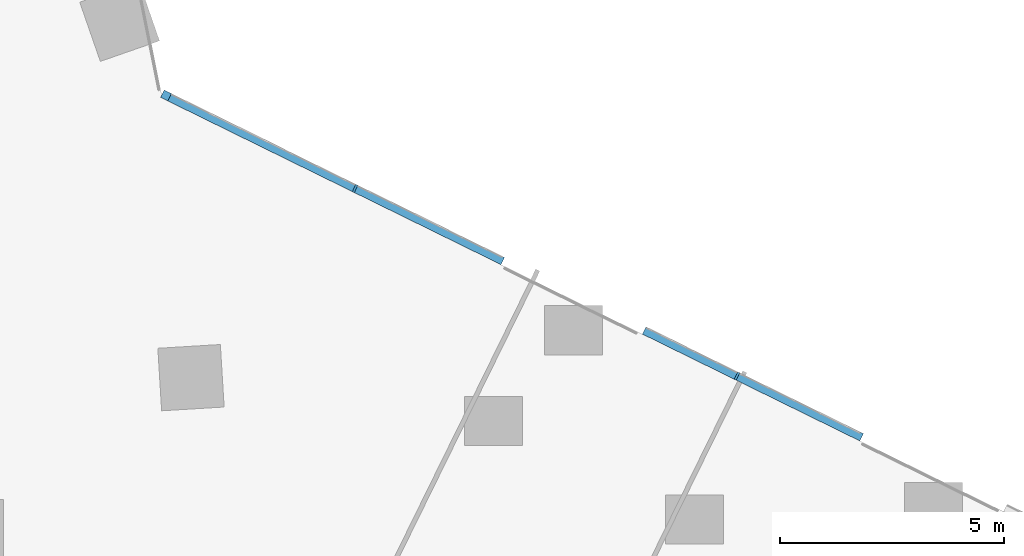
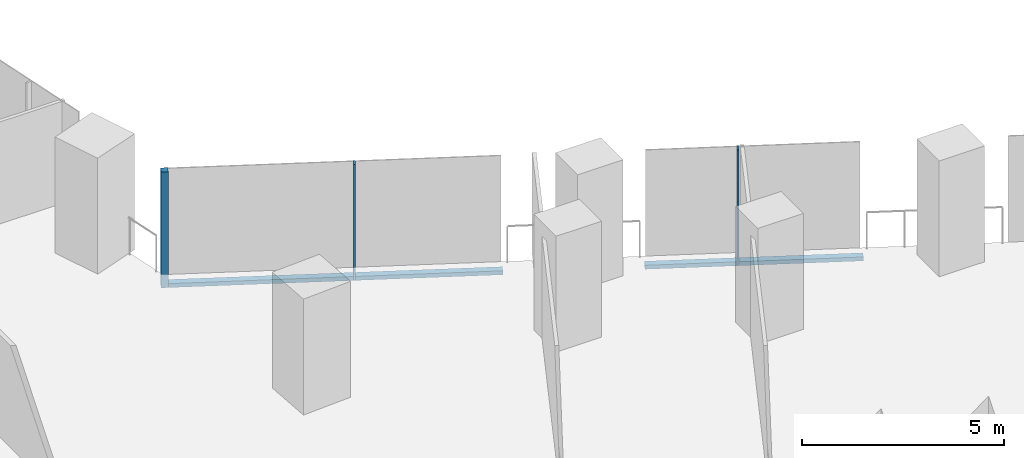
# One storey, part 10 of 32: 5 members, 1 element without a shape of its own.
"""IFC4 building model written with IfcOpenShell, lengths in metres."""

import ifcopenshell
import ifcopenshell.guid

model = None  # the IFC model being written
_history = None  # IfcOwnerHistory: only IFC2X3 demands one
_inside = {}  # id of a spatial element -> (the spatial element, [elements in it])
_under = {}  # id of a project, library or spatial element -> (it, [spatial elements below it])
_declared = {}  # id of a project -> (the project, [libraries it declares])
_typed = {}  # id of a type object -> (the type object, [elements of that type])
_made_of = {}  # id of a material, layer set ... -> (it, [elements and type objects made of it])


def new_model(schema):
    """Start an empty IFC model of exactly this schema.

    Asked for "IFC4X3", IfcOpenShell would pick the latest addendum, in which some entities
    have other attributes; the version numbers below select the first issue.
    IFC2X3 requires an IfcOwnerHistory on every rooted entity: one is made here for all.
    """
    global model, _history
    if schema == "IFC4X3":
        model = ifcopenshell.file(schema_version=(4, 3, 0, 0))
    else:
        model = ifcopenshell.file(schema=schema)
    _inside.clear()
    _under.clear()
    _declared.clear()
    _typed.clear()
    _made_of.clear()
    _history = None
    if model.schema == "IFC2X3":
        org = make("IfcOrganization", Name="unknown")
        user = make(
            "IfcPersonAndOrganization",
            ThePerson=make("IfcPerson", FamilyName="unknown"),
            TheOrganization=org,
        )
        app = make(
            "IfcApplication",
            ApplicationDeveloper=org,
            Version="unknown",
            ApplicationFullName="unknown",
            ApplicationIdentifier="unknown",
        )
        _history = make(
            "IfcOwnerHistory",
            OwningUser=user,
            OwningApplication=app,
            ChangeAction="ADDED",
            CreationDate=0,
        )
    return model


def make(cls, **values):
    """One entity of the class cls with the attributes given. An attribute that is None is left unset."""
    return model.create_entity(
        cls, **{name: value for name, value in values.items() if value is not None}
    )


def rooted(cls, **values):
    """An entity with a GlobalId (a new one), such as an element, a storey or a relation."""
    return make(cls, GlobalId=ifcopenshell.guid.new(), OwnerHistory=_history, **values)


def si_unit(unit_type, name, prefix=None):
    """IfcSIUnit, for example si_unit("LENGTHUNIT", "METRE", prefix="MILLI")."""
    return make("IfcSIUnit", UnitType=unit_type, Prefix=prefix, Name=name)


def assignment(units):
    """IfcUnitAssignment: the units of a project."""
    return None if units is None else make("IfcUnitAssignment", Units=units)


def point(xyz):
    """IfcCartesianPoint."""
    return None if xyz is None else make("IfcCartesianPoint", Coordinates=xyz)


def direction(xyz):
    """IfcDirection."""
    return None if xyz is None else make("IfcDirection", DirectionRatios=xyz)


def frame(location, z_axis=None, x_axis=None):
    """IfcAxis2Placement3D, a coordinate frame: its origin and axes. An axis left out is left unset."""
    return make(
        "IfcAxis2Placement3D",
        Location=point(location),
        Axis=direction(z_axis),
        RefDirection=direction(x_axis),
    )


def frame_2d(location, x_axis=None):
    """IfcAxis2Placement2D, a coordinate frame in the plane: its origin and x axis."""
    return make(
        "IfcAxis2Placement2D", Location=point(location), RefDirection=direction(x_axis)
    )


def origin():
    """The frame at (0, 0, 0) with its axes left unset."""
    return frame((0.0, 0.0, 0.0))


def origin_2d():
    """The frame at (0, 0) in the plane with its x axis left unset."""
    return frame_2d((0.0, 0.0))


def place(relative_to, where):
    """IfcLocalPlacement: puts the frame where relative to a parent placement (None: the world)."""
    return make(
        "IfcLocalPlacement", PlacementRelTo=relative_to, RelativePlacement=where
    )


def context(
    kind, dimensions, precision=None, world=None, true_north=None, identifier=None
):
    """IfcGeometricRepresentationContext, for example the 3D "Model" context."""
    return make(
        "IfcGeometricRepresentationContext",
        ContextIdentifier=identifier,
        ContextType=kind,
        CoordinateSpaceDimension=dimensions,
        Precision=precision,
        WorldCoordinateSystem=world,
        TrueNorth=true_north,
    )


def subcontext(parent, identifier, kind, view, scale=None):
    """IfcGeometricRepresentationSubContext, for example "Body" below "Model"."""
    return make(
        "IfcGeometricRepresentationSubContext",
        ContextIdentifier=identifier,
        ContextType=kind,
        ParentContext=parent,
        TargetScale=scale,
        TargetView=view,
    )


def project(units=None, contexts=None):
    """IfcProject with its units and contexts."""
    return rooted(
        "IfcProject",
        Name="project",
        RepresentationContexts=contexts,
        UnitsInContext=assignment(units),
    )


def spatial(cls, under=None, at=None, **own):
    """A site, building, storey or space (cls), placed at a placement, below another one or the project."""
    s = rooted(cls, ObjectPlacement=at, **own)
    if under is not None:
        _under.setdefault(under.id(), (under, []))[1].append(s)
    return s


def profile(cls, at=None, kind="AREA", **sizes):
    """A parametric profile (cls). Its sizes go by their IFC names, for example OverallWidth=200.0."""
    return make(cls, ProfileType=kind, Position=at, **sizes)


def rectangle(**sizes):
    """IfcRectangleProfileDef."""
    return profile("IfcRectangleProfileDef", **sizes)


def extrude(swept, where, along, depth):
    """IfcExtrudedAreaSolid: the profile swept, set in the frame where, extruded along a direction by depth."""
    return make(
        "IfcExtrudedAreaSolid",
        SweptArea=swept,
        Position=where,
        ExtrudedDirection=direction(along),
        Depth=depth,
    )


def shape(context_of_items, identifier, shape_type, items):
    """IfcShapeRepresentation: the items that make up one representation, for example the "Body"."""
    return make(
        "IfcShapeRepresentation",
        ContextOfItems=context_of_items,
        RepresentationIdentifier=identifier,
        RepresentationType=shape_type,
        Items=items,
    )


def material(Name=None, Category=None):
    """IfcMaterial."""
    return make("IfcMaterial", Name=Name, Category=Category)


def material_profile(
    of_material, cross_section, Name=None, Category=None, Priority=None
):
    """IfcMaterialProfile: a cross section and its material."""
    return make(
        "IfcMaterialProfile",
        Name=Name,
        Material=of_material,
        Profile=cross_section,
        Priority=Priority,
        Category=Category,
    )


def profile_set(profiles, Name=None, composite=None):
    """IfcMaterialProfileSet."""
    return make(
        "IfcMaterialProfileSet",
        Name=Name,
        MaterialProfiles=profiles,
        CompositeProfile=composite,
    )


def made_of(thing, what):
    """Note that an element or type object is made of a material, layer set ...; save() writes the relation."""
    if what is not None:
        _made_of.setdefault(what.id(), (what, []))[1].append(thing)
    return thing


def type_object(cls, material=None, **own):
    """A type object (cls), such as IfcWallType, which elements share."""
    return made_of(rooted(cls, **own), material)


def element(
    cls,
    number,
    at=None,
    inside=None,
    cuts=None,
    type_object=None,
    material=None,
    context=None,
    identifier="Body",
    shape_type=None,
    held_by="IfcProductDefinitionShape",
    body=None,
    shapes=None,
    **own,
):
    """One element of the class cls, such as IfcWall. Its Tag is "e" and its number.

    at: its placement. inside: the storey or other place that contains it. cuts: it is an
    opening in that element (IfcRelVoidsElement). A single representation is given by context,
    identifier, shape_type and body (its items); several are given by shapes. held_by: the class
    of the entity that holds the representations. save() writes the other relations.
    """
    e = rooted(cls, Tag="e%d" % number, ObjectPlacement=at, **own)
    if body is not None:
        shapes = [shape(context, identifier, shape_type, body)]
    if shapes is not None:
        e.Representation = make(held_by, Representations=shapes)
    if inside is not None:
        _inside.setdefault(inside.id(), (inside, []))[1].append(e)
    if cuts is not None:
        rooted(
            "IfcRelVoidsElement", RelatingBuildingElement=cuts, RelatedOpeningElement=e
        )
    if type_object is not None:
        _typed.setdefault(type_object.id(), (type_object, []))[1].append(e)
    return made_of(e, material)


def aggregate(whole, parts):
    """IfcRelAggregates: a whole, such as a stair, and the parts it consists of."""
    return rooted("IfcRelAggregates", RelatingObject=whole, RelatedObjects=parts)


def save(model, path):
    """Write the relations noted so far, then the file.

    IfcRelAggregates (storeys below a building ...), IfcRelContainedInSpatialStructure (elements
    in a storey), IfcRelDefinesByType, IfcRelAssociatesMaterial and IfcRelDeclares: one each for
    every whole, place, type object, material and project.
    """
    for whole, parts in _under.values():
        aggregate(whole, parts)
    for where, things in _inside.values():
        rooted(
            "IfcRelContainedInSpatialStructure",
            RelatedElements=things,
            RelatingStructure=where,
        )
    for kind, things in _typed.values():
        rooted("IfcRelDefinesByType", RelatedObjects=things, RelatingType=kind)
    for what, things in _made_of.values():
        rooted("IfcRelAssociatesMaterial", RelatedObjects=things, RelatingMaterial=what)
    for by, libraries in _declared.values():
        rooted("IfcRelDeclares", RelatingContext=by, RelatedDefinitions=libraries)
    model.write(path)


model = new_model("IFC4")

# Units and contexts
model_context = context("Model", 3, precision=1e-05, world=origin(), true_north=direction((0.0, 1.0)))
body_context = subcontext(model_context, "Body", "Model", "MODEL_VIEW")
ifc_project = project(units=[si_unit("LENGTHUNIT", "METRE"), si_unit("AREAUNIT", "SQUARE_METRE"), si_unit("VOLUMEUNIT", "CUBIC_METRE"), si_unit("PLANEANGLEUNIT", "RADIAN"), si_unit("MASSUNIT", "GRAM", prefix="KILO")], contexts=[model_context])

# Site, building, storey
site_placement = place(None, origin())
site = spatial("IfcSite", under=ifc_project, at=site_placement, CompositionType="ELEMENT")
building_placement = place(site_placement, origin())
building = spatial("IfcBuilding", under=site, at=building_placement, Name="Orlundy Tower", CompositionType="ELEMENT")
storey_placement = place(building_placement, frame((0.0, 0.0, 58.800048828125)))
storey = spatial("IfcBuildingStorey", under=building, at=storey_placement, Name="L13", CompositionType="ELEMENT", Elevation=58.800048828125)

# Curtain wall, members
ifc_material_1 = material(Name="Aluminium bronze anodised", Category="aluminium")
curtain_wall_type = type_object("IfcCurtainWallType", Name="CW1 wall", PredefinedType="NOTDEFINED", material=ifc_material_1)
curtain_wall_placement = place(storey_placement, origin())
curtain_wall = element("IfcCurtainWall", 1, at=curtain_wall_placement, inside=storey, type_object=curtain_wall_type, Name="CW1 run 018", PredefinedType="NOTDEFINED")
ifc_material_2 = material(Name="Aluminium bronze anodised", Category="aluminium")
ifc_material_profile_1 = material_profile(ifc_material_2, rectangle(XDim=0.179931640625, YDim=0.179931640625, at=origin_2d()), Name="CW1 corner post 180x180")
ifc_profile_set_1 = profile_set([ifc_material_profile_1], Name="Aluminium bronze anodised")
member_type_1 = type_object("IfcMemberType", Name="CW1 corner post 180x180", PredefinedType="MULLION", material=ifc_profile_set_1)
member_1_placement = place(storey_placement, frame((29.064453125, 8.103271484375, -0.400146484375), z_axis=(0.0, 0.0, 1.0), x_axis=(0.440978180969, 0.897517823728, 0.0)))
member_1 = element("IfcMember", 2, at=member_1_placement, type_object=member_type_1, Name="CW1 mullion 51", PredefinedType="MULLION", context=body_context, shape_type="SweptSolid", body=[
    extrude(rectangle(XDim=0.179931640625, YDim=0.179931640625, at=origin_2d()), origin(), (0.0, 0.0, 1.0), 3.5),
])
ifc_material_3 = material(Name="Aluminium bronze anodised", Category="aluminium")
ifc_material_profile_2 = material_profile(ifc_material_3, rectangle(XDim=0.179931640625, YDim=0.050048828125, at=origin_2d()), Name="CW1 mullion 50x180")
ifc_profile_set_2 = profile_set([ifc_material_profile_2], Name="Aluminium bronze anodised")
member_type_2 = type_object("IfcMemberType", Name="CW1 mullion 50x180", PredefinedType="MULLION", material=ifc_profile_set_2)
member_2_placement = place(storey_placement, frame((33.292724609375, 6.02587890625, -0.400146484375), z_axis=(0.0, 0.0, 1.0), x_axis=(0.440978180969, 0.897517823728, 0.0)))
member_2 = element("IfcMember", 3, at=member_2_placement, type_object=member_type_2, Name="CW1 mullion 52", PredefinedType="MULLION", context=body_context, shape_type="SweptSolid", body=[
    extrude(rectangle(XDim=0.179931640625, YDim=0.050048828125, at=origin_2d()), origin(), (0.0, 0.0, 1.0), 3.5),
])
member_3_placement = place(storey_placement, frame((41.82861328125, 1.831787109375, -0.400146484375), z_axis=(0.0, 0.0, 1.0), x_axis=(0.440978180969, 0.897517823728, 0.0)))
member_3 = element("IfcMember", 4, at=member_3_placement, type_object=member_type_2, Name="CW1 mullion 54", PredefinedType="MULLION", context=body_context, shape_type="SweptSolid", body=[
    extrude(rectangle(XDim=0.179931640625, YDim=0.050048828125, at=origin_2d()), origin(), (0.0, 0.0, 1.0), 3.5),
])
ifc_material_4 = material(Name="Aluminium bronze anodised", Category="aluminium")
ifc_material_profile_3 = material_profile(ifc_material_4, rectangle(XDim=0.179931640625, YDim=0.1201171875, at=origin_2d()), Name="CW1 transom 180x120")
ifc_profile_set_3 = profile_set([ifc_material_profile_3], Name="Aluminium bronze anodised")
member_type_3 = type_object("IfcMemberType", Name="CW1 transom 180x120", PredefinedType="USERDEFINED", material=ifc_profile_set_3)
member_4_placement = place(storey_placement, frame((29.145263671875, 8.0634765625, -0.340087890625), z_axis=(0.897524497996, -0.440964596648, 0.0), x_axis=(0.440964596648, 0.897524497996, 0.0)))
member_4 = element("IfcMember", 5, at=member_4_placement, type_object=member_type_3, Name="CW1 transom", ObjectType="TRANSOM", PredefinedType="USERDEFINED", context=body_context, shape_type="SweptSolid", body=[
    extrude(rectangle(XDim=0.179931640625, YDim=0.1201171875, at=origin_2d()), origin(), (0.0, 0.0, 1.0), 8.297119140625),
])
member_5_placement = place(storey_placement, frame((39.75390625, 2.85107421875, -0.340087890625), z_axis=(0.897524285128, -0.440965029913, 0.0), x_axis=(0.440965029913, 0.897524285128, 0.0)))
member_5 = element("IfcMember", 6, at=member_5_placement, type_object=member_type_3, Name="CW1 transom", ObjectType="TRANSOM", PredefinedType="USERDEFINED", context=body_context, shape_type="SweptSolid", body=[
    extrude(rectangle(XDim=0.179931640625, YDim=0.1201171875, at=origin_2d()), origin(), (0.0, 0.0, 1.0), 5.4169921875),
])
aggregate(curtain_wall, [member_1, member_2, member_3, member_4, member_5])

save(model, "model.ifc")
